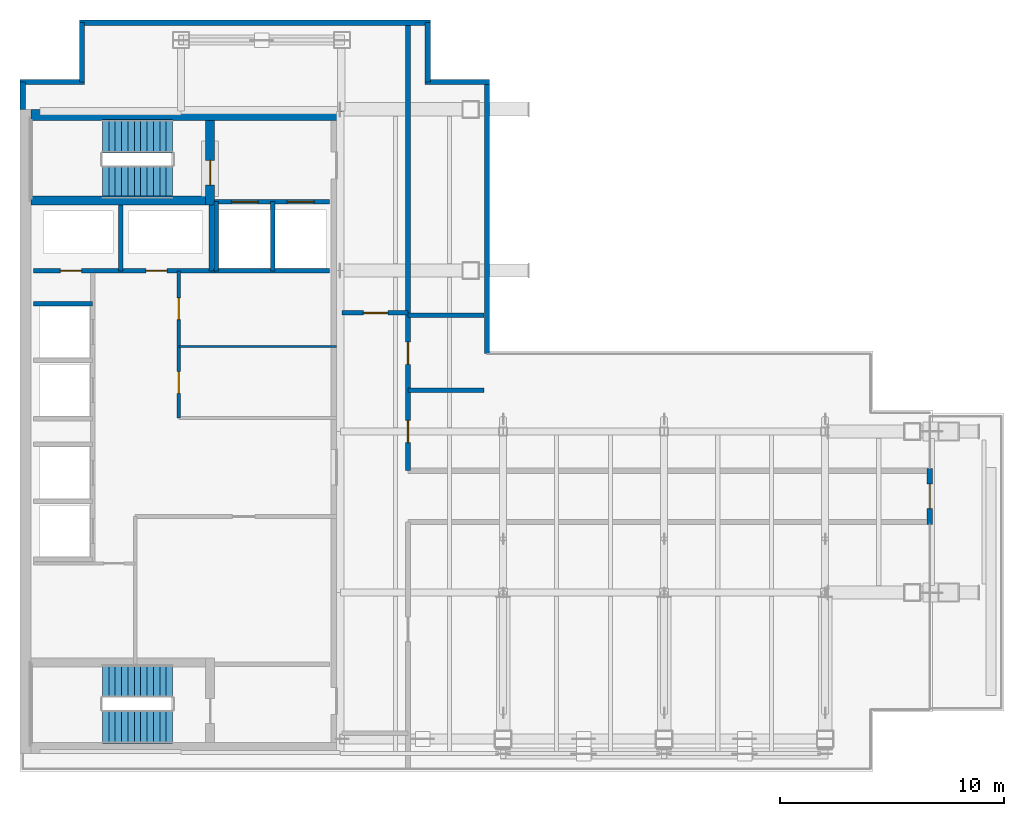
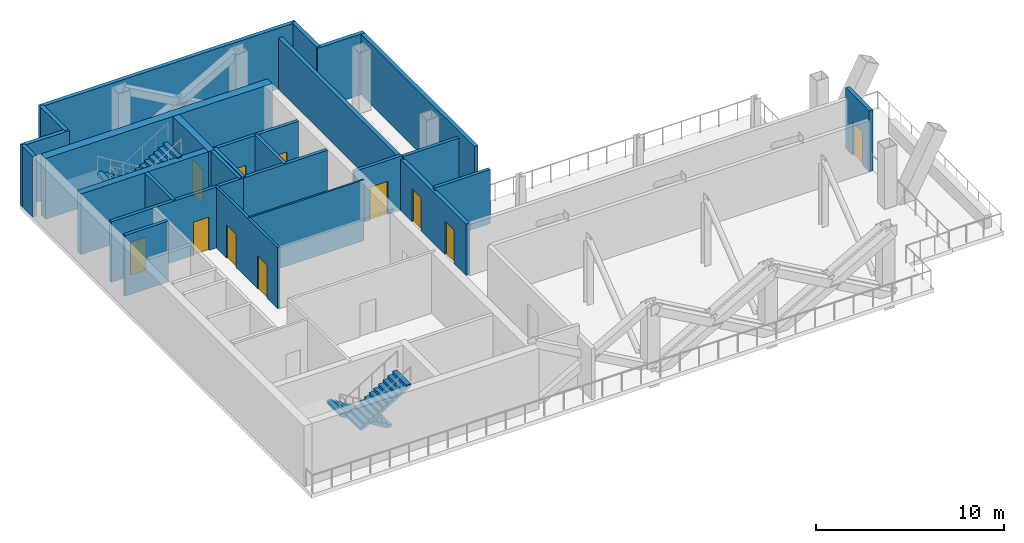
# One storey, part 4 of 6: 25 walls, 11 doors, 4 stair flights, 11 openings, 2 elements without a shape of their own.
"""IFC4 building model written with IfcOpenShell, lengths in metres."""

from ifc_helpers import new_model, si_unit, direction, frame, frame_2d, origin, place, context, subcontext, project, spatial, polyline, rectangle, outline, extrude, material, layer, layer_set, type_object, element, fill, aggregate, save


model = new_model("IFC4")

# Units and contexts
model_context = context("Model", 3, precision=1e-05, world=origin(), true_north=direction((0.0, 1.0)))
body_context = subcontext(model_context, "Body", "Model", "MODEL_VIEW")
ifc_project = project(units=[si_unit("LENGTHUNIT", "METRE"), si_unit("AREAUNIT", "SQUARE_METRE"), si_unit("VOLUMEUNIT", "CUBIC_METRE"), si_unit("PLANEANGLEUNIT", "RADIAN"), si_unit("MASSUNIT", "GRAM", prefix="KILO")], contexts=[model_context])

# Site, building, storey
site_placement = place(None, origin())
site = spatial("IfcSite", under=ifc_project, at=site_placement, CompositionType="ELEMENT")
building_placement = place(site_placement, origin())
building = spatial("IfcBuilding", under=site, at=building_placement, Name="Cobrela Telecom Tower", CompositionType="ELEMENT")
storey_placement = place(building_placement, frame((0.0, 0.0, 232.75)))
storey = spatial("IfcBuildingStorey", under=building, at=storey_placement, Name="L60", CompositionType="ELEMENT", Elevation=232.75)

# Walls
ifc_material_1 = material(Name="Concrete C40/50", Category="concrete")
ifc_layer_1 = layer(ifc_material_1, 0.5)
ifc_layer_set_1 = layer_set([ifc_layer_1], Name="Concrete C40/50")
wall_type_1 = type_object("IfcWallType", Name="WALL-CORE-C40-500", PredefinedType="SHEAR", material=ifc_layer_set_1)
wall_1_placement = place(storey_placement, frame((0.5, 35.75, 0.0), z_axis=(0.0, 0.0, 1.0), x_axis=(1.0, 0.0, 0.0)))
element("IfcWall", 1, at=wall_1_placement, inside=storey, type_object=wall_type_1, Name="L60 North Core Shear Wall", PredefinedType="SHEAR", context=body_context, shape_type="SweptSolid", body=[
    extrude(rectangle(XDim=13.89990234375, YDim=0.5, at=frame_2d((6.949951171875, 0.0))), origin(), (0.0, 0.0, 1.0), 3.93994140625),
])
ifc_layer_2 = layer(ifc_material_1, 0.239990234375)
ifc_layer_set_2 = layer_set([ifc_layer_2], Name="Concrete C40/50")
wall_type_2 = type_object("IfcWallType", Name="WALL-EXT-300", PredefinedType="STANDARD", material=ifc_layer_set_2)
wall_2_placement = place(storey_placement, frame((0.1201171875, 36.0, 0.0), z_axis=(0.0, 0.0, 1.0), x_axis=(0.0, 1.0, 0.0)))
element("IfcWall", 2, at=wall_2_placement, inside=storey, type_object=wall_type_2, Name="L60 Refuge Insulated Exterior Wall 02", PredefinedType="STANDARD", context=body_context, shape_type="SweptSolid", body=[
    extrude(rectangle(XDim=1.22998046875, YDim=0.239990234375, at=frame_2d((0.614990234375, 0.0))), origin(), (0.0, 0.0, 1.0), 3.93994140625),
])
wall_3_placement = place(storey_placement, frame((0.0, 37.22998046875, 0.0), z_axis=(0.0, 0.0, 1.0), x_axis=(1.0, 0.0, 0.0)))
element("IfcWall", 3, at=wall_3_placement, inside=storey, type_object=wall_type_2, Name="L60 Refuge Insulated Exterior Wall 03", PredefinedType="STANDARD", context=body_context, shape_type="SweptSolid", body=[
    extrude(rectangle(XDim=2.889892578125, YDim=0.239990234375, at=frame_2d((1.44482421875, 0.0))), origin(), (0.0, 0.0, 1.0), 3.93994140625),
])
wall_4_placement = place(storey_placement, frame((2.77001953125, 37.22998046875, 0.0), z_axis=(0.0, 0.0, 1.0), x_axis=(0.0, 1.0, 0.0)))
element("IfcWall", 4, at=wall_4_placement, inside=storey, type_object=wall_type_2, Name="L60 Refuge Insulated Exterior Wall 04", PredefinedType="STANDARD", context=body_context, shape_type="SweptSolid", body=[
    extrude(rectangle(XDim=2.64990234375, YDim=0.239990234375, at=frame_2d((1.324951171875, 0.0))), origin(), (0.0, 0.0, 1.0), 3.93994140625),
])
wall_5_placement = place(storey_placement, frame((2.64990234375, 39.8798828125, 0.0), z_axis=(0.0, 0.0, 1.0), x_axis=(1.0, 0.0, 0.0)))
element("IfcWall", 5, at=wall_5_placement, inside=storey, type_object=wall_type_2, Name="L60 Refuge Insulated Exterior Wall 05", PredefinedType="STANDARD", context=body_context, shape_type="SweptSolid", body=[
    extrude(rectangle(XDim=15.7001953125, YDim=0.239990234375, at=frame_2d((7.85009765625, 0.0))), origin(), (0.0, 0.0, 1.0), 3.93994140625),
])
wall_6_placement = place(storey_placement, frame((18.22998046875, 39.8798828125, 0.0), z_axis=(0.0, 0.0, 1.0), x_axis=(0.0, -1.0, 0.0)))
element("IfcWall", 6, at=wall_6_placement, inside=storey, type_object=wall_type_2, Name="L60 Refuge Insulated Exterior Wall 06", PredefinedType="STANDARD", context=body_context, shape_type="SweptSolid", body=[
    extrude(rectangle(XDim=2.64990234375, YDim=0.239990234375, at=frame_2d((1.324951171875, 0.0))), origin(), (0.0, 0.0, 1.0), 3.93994140625),
])
wall_7_placement = place(storey_placement, frame((18.110107421875, 37.22998046875, 0.0), z_axis=(0.0, 0.0, 1.0), x_axis=(1.0, 0.0, 0.0)))
element("IfcWall", 7, at=wall_7_placement, inside=storey, type_object=wall_type_2, Name="L60 Refuge Insulated Exterior Wall 07", PredefinedType="STANDARD", context=body_context, shape_type="SweptSolid", body=[
    extrude(rectangle(XDim=2.889892578125, YDim=0.239990234375, at=frame_2d((1.44482421875, 0.0))), origin(), (0.0, 0.0, 1.0), 3.93994140625),
])
wall_8_placement = place(storey_placement, frame((20.8798828125, 37.22998046875, 0.0), z_axis=(0.0, 0.0, 1.0), x_axis=(0.0, -1.0, 0.0)))
element("IfcWall", 8, at=wall_8_placement, inside=storey, type_object=wall_type_2, Name="L60 Refuge Insulated Exterior Wall 08", PredefinedType="STANDARD", context=body_context, shape_type="SweptSolid", body=[
    extrude(rectangle(XDim=12.14990234375, YDim=0.239990234375, at=frame_2d((6.074951171875, 0.0))), origin(), (0.0, 0.0, 1.0), 3.93994140625),
])

# Wall, opening, door
wall_9_placement = place(storey_placement, frame((40.679931640625, 19.949951171875, 0.0), z_axis=(0.0, 0.0, 1.0), x_axis=(0.0, -1.0, 0.0)))
wall_9 = element("IfcWall", 9, at=wall_9_placement, inside=storey, type_object=wall_type_2, Name="L60 Terrace Vestibule Exterior Wall", PredefinedType="STANDARD", context=body_context, shape_type="SweptSolid", body=[
    extrude(rectangle(XDim=2.5, YDim=0.239990234375, at=frame_2d((1.25, 0.0))), origin(), (0.0, 0.0, 1.0), 3.93994140625),
])
opening_1_placement = place(wall_9_placement, frame((0.699951171875, 0.0, 0.0)))
opening_1 = element("IfcOpeningElement", 10, at=opening_1_placement, cuts=wall_9, Name="Opening ED-3", PredefinedType="OPENING", context=body_context, shape_type="SweptSolid", body=[
    extrude(rectangle(XDim=1.10009765625, YDim=2.14990234375, at=frame_2d((0.550048828125, 1.074951171875))), frame((0.0, 0.1318359375, 0.0), z_axis=(0.0, -1.0, 0.0), x_axis=(1.0, 0.0, 0.0)), (0.0, 0.0, 1.0), 0.263916015625),
])
ifc_material_2 = material(Name="Anodized Bronze Aluminium 6063-T6", Category="aluminium")
door_type_1 = type_object("IfcDoorType", Name="DOOR-EXT-1100", OperationType="SINGLE_SWING_LEFT", PredefinedType="DOOR", material=ifc_material_2)
door_1_placement = place(opening_1_placement, origin())
door_1 = element("IfcDoor", 11, at=door_1_placement, inside=storey, type_object=door_type_1, Name="L60 Refuge Corridor to Upper Andean Viewing Terrace Door", OperationType="SINGLE_SWING_LEFT", OverallHeight=2.14990234375, OverallWidth=1.10009765625, PredefinedType="DOOR", context=body_context, shape_type="SweptSolid", body=[
    extrude(rectangle(XDim=1.10009765625, YDim=2.14990234375, at=frame_2d((0.550048828125, 1.074951171875))), frame((0.0, 0.02490234375, 0.0), z_axis=(0.0, -1.0, 0.0), x_axis=(1.0, 0.0, 0.0)), (0.0, 0.0, 1.0), 0.050048828125),
])
fill(opening_1, door_1)

# Wall, openings, doors
wall_10_placement = place(storey_placement, frame((17.35009765625, 19.85009765625, 0.0), z_axis=(0.0, 0.0, 1.0), x_axis=(0.0, 1.0, 0.0)))
wall_10 = element("IfcWall", 12, at=wall_10_placement, inside=storey, type_object=wall_type_2, Name="L60 Shaft Enclosure W-TB-EN", PredefinedType="STANDARD", context=body_context, shape_type="SweptSolid", body=[
    extrude(rectangle(XDim=19.89990234375, YDim=0.239990234375, at=frame_2d((9.949951171875, 0.0))), origin(), (0.0, 0.0, 1.0), 3.31298828125),
])
opening_2_placement = place(wall_10_placement, frame((1.25, 0.0, 0.0)))
opening_2 = element("IfcOpeningElement", 13, at=opening_2_placement, cuts=wall_10, Name="Opening DR-15", PredefinedType="OPENING", context=body_context, shape_type="SweptSolid", body=[
    extrude(rectangle(XDim=1.0, YDim=2.14990234375, at=frame_2d((0.5, 1.074951171875))), frame((0.0, 0.1318359375, 0.0), z_axis=(0.0, -1.0, 0.0), x_axis=(1.0, 0.0, 0.0)), (0.0, 0.0, 1.0), 0.263916015625),
])
opening_3_placement = place(wall_10_placement, frame((4.75, 0.0, 0.0)))
opening_3 = element("IfcOpeningElement", 14, at=opening_3_placement, cuts=wall_10, Name="Opening DR-15", PredefinedType="OPENING", context=body_context, shape_type="SweptSolid", body=[
    extrude(rectangle(XDim=1.0, YDim=2.14990234375, at=frame_2d((0.5, 1.074951171875))), frame((0.0, 0.1318359375, 0.0), z_axis=(0.0, -1.0, 0.0), x_axis=(1.0, 0.0, 0.0)), (0.0, 0.0, 1.0), 0.263916015625),
])
ifc_material_3 = material(Name="Steel ASTM A36", Category="steel")
door_type_2 = type_object("IfcDoorType", Name="DOOR-FD60-1000", OperationType="SINGLE_SWING_LEFT", PredefinedType="DOOR", material=ifc_material_3)
door_2_placement = place(opening_2_placement, origin())
door_2 = element("IfcDoor", 15, at=door_2_placement, inside=storey, type_object=door_type_2, Name="L60 Door DR-15", OperationType="SINGLE_SWING_RIGHT", OverallHeight=2.14990234375, OverallWidth=1.0, PredefinedType="DOOR", context=body_context, shape_type="SweptSolid", body=[
    extrude(rectangle(XDim=1.0, YDim=2.14990234375, at=frame_2d((0.5, 1.074951171875))), frame((0.0, 0.02490234375, 0.0), z_axis=(0.0, -1.0, 0.0), x_axis=(1.0, 0.0, 0.0)), (0.0, 0.0, 1.0), 0.050048828125),
])
fill(opening_2, door_2)
door_3_placement = place(opening_3_placement, origin())
door_3 = element("IfcDoor", 16, at=door_3_placement, inside=storey, type_object=door_type_2, Name="L60 Door DR-15", OperationType="SINGLE_SWING_LEFT", OverallHeight=2.14990234375, OverallWidth=1.0, PredefinedType="DOOR", context=body_context, shape_type="SweptSolid", body=[
    extrude(rectangle(XDim=1.0, YDim=2.14990234375, at=frame_2d((0.5, 1.074951171875))), frame((0.0, 0.02490234375, 0.0), z_axis=(0.0, -1.0, 0.0), x_axis=(1.0, 0.0, 0.0)), (0.0, 0.0, 1.0), 0.050048828125),
])
fill(opening_3, door_3)

# Wall
ifc_material_4 = material(Name="Fire-Rated Gypsum Plasterboard")
ifc_layer_3 = layer(ifc_material_4, 0.110107421875)
ifc_layer_set_3 = layer_set([ifc_layer_3], Name="Fire-Rated Gypsum Plasterboard")
wall_type_3 = type_object("IfcWallType", Name="WALL-PART-110", PredefinedType="PARTITIONING", material=ifc_layer_set_3)
wall_11_placement = place(storey_placement, frame((7.10009765625, 25.39990234375, 0.0), z_axis=(0.0, 0.0, 1.0), x_axis=(1.0, 0.0, 0.0)))
element("IfcWall", 17, at=wall_11_placement, inside=storey, type_object=wall_type_3, Name="L60 Interior Partition CW-RECL-H", PredefinedType="PARTITIONING", context=body_context, shape_type="SweptSolid", body=[
    extrude(rectangle(XDim=7.0498046875, YDim=0.110107421875, at=frame_2d((3.52490234375, 0.0))), origin(), (0.0, 0.0, 1.0), 3.93994140625),
])

# Wall, openings, doors
ifc_layer_4 = layer(ifc_material_4, 0.14990234375)
ifc_layer_set_4 = layer_set([ifc_layer_4], Name="Fire-Rated Gypsum Plasterboard")
wall_type_4 = type_object("IfcWallType", Name="WALL-PART-150", PredefinedType="PARTITIONING", material=ifc_layer_set_4)
wall_12_placement = place(storey_placement, frame((7.10009765625, 22.199951171875, 0.0), z_axis=(0.0, 0.0, 1.0), x_axis=(0.0, 1.0, 0.0)))
wall_12 = element("IfcWall", 18, at=wall_12_placement, inside=storey, type_object=wall_type_4, Name="L60 Interior Partition CW-RECL-W", PredefinedType="PARTITIONING", context=body_context, shape_type="SweptSolid", body=[
    extrude(rectangle(XDim=6.580078125, YDim=0.14990234375, at=frame_2d((3.2900390625, 0.0))), origin(), (0.0, 0.0, 1.0), 3.93994140625),
])
opening_4_placement = place(wall_12_placement, frame((1.10009765625, 0.0, 0.0)))
opening_4 = element("IfcOpeningElement", 19, at=opening_4_placement, cuts=wall_12, Name="Opening DR-17", PredefinedType="OPENING", context=body_context, shape_type="SweptSolid", body=[
    extrude(rectangle(XDim=0.97998046875, YDim=2.14990234375, at=frame_2d((0.489990234375, 1.074951171875))), frame((0.0, 0.0869140625, 0.0), z_axis=(0.0, -1.0, 0.0), x_axis=(1.0, 0.0, 0.0)), (0.0, 0.0, 1.0), 0.173828125),
])
opening_5_placement = place(wall_12_placement, frame((4.39990234375, 0.0, 0.0)))
opening_5 = element("IfcOpeningElement", 20, at=opening_5_placement, cuts=wall_12, Name="Opening DR-17", PredefinedType="OPENING", context=body_context, shape_type="SweptSolid", body=[
    extrude(rectangle(XDim=0.97998046875, YDim=2.14990234375, at=frame_2d((0.489990234375, 1.074951171875))), frame((0.0, 0.0869140625, 0.0), z_axis=(0.0, -1.0, 0.0), x_axis=(1.0, 0.0, 0.0)), (0.0, 0.0, 1.0), 0.173828125),
])
ifc_material_5 = material(Name="Solid Engineered Oak Timber", Category="wood")
door_type_3 = type_object("IfcDoorType", Name="DOOR-INT-980", OperationType="SINGLE_SWING_LEFT", PredefinedType="DOOR", material=ifc_material_5)
door_4_placement = place(opening_4_placement, origin())
door_4 = element("IfcDoor", 21, at=door_4_placement, inside=storey, type_object=door_type_3, Name="L60 Door DR-17", OperationType="SINGLE_SWING_RIGHT", OverallHeight=2.14990234375, OverallWidth=0.97998046875, PredefinedType="DOOR", context=body_context, shape_type="SweptSolid", body=[
    extrude(rectangle(XDim=0.97998046875, YDim=2.14990234375, at=frame_2d((0.489990234375, 1.074951171875))), frame((0.0, 0.02490234375, 0.0), z_axis=(0.0, -1.0, 0.0), x_axis=(1.0, 0.0, 0.0)), (0.0, 0.0, 1.0), 0.050048828125),
])
fill(opening_4, door_4)
door_5_placement = place(opening_5_placement, origin())
door_5 = element("IfcDoor", 22, at=door_5_placement, inside=storey, type_object=door_type_3, Name="L60 Door DR-17", OperationType="SINGLE_SWING_LEFT", OverallHeight=2.14990234375, OverallWidth=0.97998046875, PredefinedType="DOOR", context=body_context, shape_type="SweptSolid", body=[
    extrude(rectangle(XDim=0.97998046875, YDim=2.14990234375, at=frame_2d((0.489990234375, 1.074951171875))), frame((0.0, 0.02490234375, 0.0), z_axis=(0.0, -1.0, 0.0), x_axis=(1.0, 0.0, 0.0)), (0.0, 0.0, 1.0), 0.050048828125),
])
fill(opening_5, door_5)

ifc_layer_5 = layer(ifc_material_4, 0.199951171875)
ifc_layer_set_5 = layer_set([ifc_layer_5], Name="Fire-Rated Gypsum Plasterboard")
wall_type_5 = type_object("IfcWallType", Name="WALL-SHAFT-200", PredefinedType="PARTITIONING", material=ifc_layer_set_5)
wall_13_placement = place(storey_placement, frame((8.699951171875, 31.8798828125, 0.0), z_axis=(0.0, 0.0, 1.0), x_axis=(1.0, 0.0, 0.0)))
wall_13 = element("IfcWall", 23, at=wall_13_placement, inside=storey, type_object=wall_type_5, Name="L60 Shaft Enclosure CW-FFL-S", PredefinedType="PARTITIONING", context=body_context, shape_type="SweptSolid", body=[
    extrude(rectangle(XDim=5.150146484375, YDim=0.199951171875, at=frame_2d((2.5751953125, 0.0))), origin(), (0.0, 0.0, 1.0), 3.93994140625),
])
opening_6_placement = place(wall_13_placement, frame((0.75, 0.0, 0.0)))
opening_6 = element("IfcOpeningElement", 24, at=opening_6_placement, cuts=wall_13, Name="Opening LD-2", PredefinedType="OPENING", context=body_context, shape_type="SweptSolid", body=[
    extrude(rectangle(XDim=1.199951171875, YDim=2.199951171875, at=frame_2d((0.60009765625, 1.10009765625))), frame((0.0, 0.11181640625, 0.0), z_axis=(0.0, -1.0, 0.0), x_axis=(1.0, 0.0, 0.0)), (0.0, 0.0, 1.0), 0.223876953125),
])
opening_7_placement = place(wall_13_placement, frame((3.25, 0.0, 0.0)))
opening_7 = element("IfcOpeningElement", 25, at=opening_7_placement, cuts=wall_13, Name="Opening LD-2", PredefinedType="OPENING", context=body_context, shape_type="SweptSolid", body=[
    extrude(rectangle(XDim=1.199951171875, YDim=2.199951171875, at=frame_2d((0.60009765625, 1.10009765625))), frame((0.0, 0.11181640625, 0.0), z_axis=(0.0, -1.0, 0.0), x_axis=(1.0, 0.0, 0.0)), (0.0, 0.0, 1.0), 0.223876953125),
])
door_type_4 = type_object("IfcDoorType", Name="DOOR-LD-FFL", OperationType="SINGLE_SWING_LEFT", PredefinedType="DOOR", material=ifc_material_3)
door_6_placement = place(opening_6_placement, origin())
door_6 = element("IfcDoor", 26, at=door_6_placement, inside=storey, type_object=door_type_4, Name="L60 Lift Landing Door LD-2", OperationType="DOUBLE_DOOR_SLIDING", OverallHeight=2.199951171875, OverallWidth=1.199951171875, PredefinedType="DOOR", context=body_context, shape_type="SweptSolid", body=[
    extrude(rectangle(XDim=1.199951171875, YDim=2.199951171875, at=frame_2d((0.60009765625, 1.10009765625))), frame((0.0, 0.02490234375, 0.0), z_axis=(0.0, -1.0, 0.0), x_axis=(1.0, 0.0, 0.0)), (0.0, 0.0, 1.0), 0.050048828125),
])
fill(opening_6, door_6)
door_7_placement = place(opening_7_placement, origin())
door_7 = element("IfcDoor", 27, at=door_7_placement, inside=storey, type_object=door_type_4, Name="L60 Lift Landing Door LD-2", OperationType="DOUBLE_DOOR_SLIDING", OverallHeight=2.199951171875, OverallWidth=1.199951171875, PredefinedType="DOOR", context=body_context, shape_type="SweptSolid", body=[
    extrude(rectangle(XDim=1.199951171875, YDim=2.199951171875, at=frame_2d((0.60009765625, 1.10009765625))), frame((0.0, 0.02490234375, 0.0), z_axis=(0.0, -1.0, 0.0), x_axis=(1.0, 0.0, 0.0)), (0.0, 0.0, 1.0), 0.050048828125),
])
fill(opening_7, door_7)

# Walls
wall_14_placement = place(storey_placement, frame((8.699951171875, 28.780029296875, 0.0), z_axis=(0.0, 0.0, 1.0), x_axis=(1.0, 0.0, 0.0)))
element("IfcWall", 28, at=wall_14_placement, inside=storey, type_object=wall_type_5, Name="L60 Shaft Enclosure CW-FFL-S2", PredefinedType="PARTITIONING", context=body_context, shape_type="SweptSolid", body=[
    extrude(rectangle(XDim=5.150146484375, YDim=0.199951171875, at=frame_2d((2.5751953125, 0.0))), origin(), (0.0, 0.0, 1.0), 3.93994140625),
])
for number, where, z_axis, x_axis, name in (
    (29, (8.780029296875, 28.780029296875, 0.0), (0.0, 0.0, 1.0), (0.0, 1.0, 0.0), "L60 Shaft Enclosure CW-FFL-W"),
    (30, (11.300048828125, 28.780029296875, 0.0), (0.0, 0.0, 1.0), (0.0, 1.0, 0.0), "L60 Shaft Enclosure CW-FFL-M"),
):
    element("IfcWall", number, at=place(storey_placement, frame(where, z_axis=z_axis, x_axis=x_axis)), inside=storey, type_object=wall_type_5, Name=name, PredefinedType="PARTITIONING", context=body_context, shape_type="SweptSolid", body=[
        extrude(rectangle(XDim=3.099853515625, YDim=0.199951171875, at=frame_2d((1.5498046875, 0.0))), origin(), (0.0, 0.0, 1.0), 3.93994140625),
    ])

# Wall, openings, doors
wall_15_placement = place(storey_placement, frame((0.60009765625, 28.780029296875, 0.0), z_axis=(0.0, 0.0, 1.0), x_axis=(1.0, 0.0, 0.0)))
wall_15 = element("IfcWall", 31, at=wall_15_placement, inside=storey, type_object=wall_type_5, Name="L60 Shaft Enclosure CW-RIS-S", PredefinedType="PARTITIONING", context=body_context, shape_type="SweptSolid", body=[
    extrude(rectangle(XDim=8.179931640625, YDim=0.199951171875, at=frame_2d((4.08984375, 0.0))), origin(), (0.0, 0.0, 1.0), 3.93994140625),
])
opening_8_placement = place(wall_15_placement, frame((1.2099609375, 0.0, 0.0)))
opening_8 = element("IfcOpeningElement", 32, at=opening_8_placement, cuts=wall_15, Name="Opening DR-65", PredefinedType="OPENING", context=body_context, shape_type="SweptSolid", body=[
    extrude(rectangle(XDim=0.949951171875, YDim=2.14990234375, at=frame_2d((0.47509765625, 1.074951171875))), frame((0.0, 0.11181640625, 0.0), z_axis=(0.0, -1.0, 0.0), x_axis=(1.0, 0.0, 0.0)), (0.0, 0.0, 1.0), 0.223876953125),
])
opening_9_placement = place(wall_15_placement, frame((5.030029296875, 0.0, 0.0)))
opening_9 = element("IfcOpeningElement", 33, at=opening_9_placement, cuts=wall_15, Name="Opening DR-65", PredefinedType="OPENING", context=body_context, shape_type="SweptSolid", body=[
    extrude(rectangle(XDim=0.949951171875, YDim=2.14990234375, at=frame_2d((0.47509765625, 1.074951171875))), frame((0.0, 0.11181640625, 0.0), z_axis=(0.0, -1.0, 0.0), x_axis=(1.0, 0.0, 0.0)), (0.0, 0.0, 1.0), 0.223876953125),
])
door_type_5 = type_object("IfcDoorType", Name="DOOR-FD60-950", OperationType="SINGLE_SWING_LEFT", PredefinedType="DOOR", material=ifc_material_3)
door_8_placement = place(opening_8_placement, origin())
door_8 = element("IfcDoor", 34, at=door_8_placement, inside=storey, type_object=door_type_5, Name="L60 Door DR-65", OperationType="SINGLE_SWING_LEFT", OverallHeight=2.14990234375, OverallWidth=0.949951171875, PredefinedType="DOOR", context=body_context, shape_type="SweptSolid", body=[
    extrude(rectangle(XDim=0.949951171875, YDim=2.14990234375, at=frame_2d((0.47509765625, 1.074951171875))), frame((0.0, 0.02490234375, 0.0), z_axis=(0.0, -1.0, 0.0), x_axis=(1.0, 0.0, 0.0)), (0.0, 0.0, 1.0), 0.050048828125),
])
fill(opening_8, door_8)
door_9_placement = place(opening_9_placement, origin())
door_9 = element("IfcDoor", 35, at=door_9_placement, inside=storey, type_object=door_type_5, Name="L60 Door DR-65", OperationType="SINGLE_SWING_RIGHT", OverallHeight=2.14990234375, OverallWidth=0.949951171875, PredefinedType="DOOR", context=body_context, shape_type="SweptSolid", body=[
    extrude(rectangle(XDim=0.949951171875, YDim=2.14990234375, at=frame_2d((0.47509765625, 1.074951171875))), frame((0.0, 0.02490234375, 0.0), z_axis=(0.0, -1.0, 0.0), x_axis=(1.0, 0.0, 0.0)), (0.0, 0.0, 1.0), 0.050048828125),
])
fill(opening_9, door_9)

# Walls
for number, where, z_axis, x_axis, name in (
    (36, (4.5, 28.780029296875, 0.0), (0.0, 0.0, 1.0), (0.0, 1.0, 0.0), "L60 Shaft Enclosure CW-RIS-M"),
    (37, (8.550048828125, 28.780029296875, 0.0), (0.0, 0.0, 1.0), (0.0, 1.0, 0.0), "L60 Shaft Enclosure CW-RIS-E"),
):
    element("IfcWall", number, at=place(storey_placement, frame(where, z_axis=z_axis, x_axis=x_axis)), inside=storey, type_object=wall_type_5, Name=name, PredefinedType="PARTITIONING", context=body_context, shape_type="SweptSolid", body=[
        extrude(rectangle(XDim=2.93994140625, YDim=0.199951171875, at=frame_2d((1.469970703125, 0.0))), origin(), (0.0, 0.0, 1.0), 3.93994140625),
    ])
wall_16_placement = place(storey_placement, frame((0.60009765625, 27.320068359375, 0.0), z_axis=(0.0, 0.0, 1.0), x_axis=(1.0, 0.0, 0.0)))
element("IfcWall", 38, at=wall_16_placement, inside=storey, type_object=wall_type_5, Name="L60 Shaft Enclosure CW-PLH-TOP", PredefinedType="PARTITIONING", context=body_context, shape_type="SweptSolid", body=[
    extrude(rectangle(XDim=2.64990234375, YDim=0.199951171875, at=frame_2d((1.324951171875, 0.0))), origin(), (0.0, 0.0, 1.0), 3.93994140625),
])

# Wall, opening, door
wall_17_placement = place(storey_placement, frame((14.39990234375, 26.89990234375, 0.0), z_axis=(0.0, 0.0, 1.0), x_axis=(1.0, 0.0, 0.0)))
wall_17 = element("IfcWall", 39, at=wall_17_placement, inside=storey, type_object=wall_type_5, Name="L60 Shaft Enclosure W-TB-N", PredefinedType="PARTITIONING", context=body_context, shape_type="SweptSolid", body=[
    extrude(rectangle(XDim=2.9501953125, YDim=0.199951171875, at=frame_2d((1.47509765625, 0.0))), origin(), (0.0, 0.0, 1.0), 3.508056640625),
])
opening_10_placement = place(wall_17_placement, frame((0.949951171875, 0.0, 0.0)))
opening_10 = element("IfcOpeningElement", 40, at=opening_10_placement, cuts=wall_17, Name="Opening DR-59", PredefinedType="OPENING", context=body_context, shape_type="SweptSolid", body=[
    extrude(rectangle(XDim=1.10009765625, YDim=2.14990234375, at=frame_2d((0.550048828125, 1.074951171875))), frame((0.0, 0.11181640625, 0.0), z_axis=(0.0, -1.0, 0.0), x_axis=(1.0, 0.0, 0.0)), (0.0, 0.0, 1.0), 0.223876953125),
])
door_type_6 = type_object("IfcDoorType", Name="DOOR-FD60-1100", OperationType="SINGLE_SWING_LEFT", PredefinedType="DOOR", material=ifc_material_3)
door_10_placement = place(opening_10_placement, origin())
door_10 = element("IfcDoor", 41, at=door_10_placement, inside=storey, type_object=door_type_6, Name="L60 Door DR-59", OperationType="SINGLE_SWING_LEFT", OverallHeight=2.14990234375, OverallWidth=1.10009765625, PredefinedType="DOOR", context=body_context, shape_type="SweptSolid", body=[
    extrude(rectangle(XDim=1.10009765625, YDim=2.14990234375, at=frame_2d((0.550048828125, 1.074951171875))), frame((0.0, 0.02490234375, 0.0), z_axis=(0.0, -1.0, 0.0), x_axis=(1.0, 0.0, 0.0)), (0.0, 0.0, 1.0), 0.050048828125),
])
fill(opening_10, door_10)

# Walls
for number, where, z_axis, x_axis, name in (
    (42, (17.35009765625, 23.449951171875, 0.0), (0.0, 0.0, 1.0), (1.0, 0.0, 0.0), "L60 Shaft Enclosure W-TB-P1S"),
    (43, (17.35009765625, 26.800048828125, 0.0), (0.0, 0.0, 1.0), (1.0, 0.0, 0.0), "L60 Shaft Enclosure W-TB-NH"),
):
    element("IfcWall", number, at=place(storey_placement, frame(where, z_axis=z_axis, x_axis=x_axis)), inside=storey, type_object=wall_type_5, Name=name, PredefinedType="PARTITIONING", context=body_context, shape_type="SweptSolid", body=[
        extrude(rectangle(XDim=3.39990234375, YDim=0.199951171875, at=frame_2d((1.699951171875, 0.0))), origin(), (0.0, 0.0, 1.0), 3.508056640625),
    ])
ifc_layer_6 = layer(ifc_material_1, 0.39990234375)
ifc_layer_set_6 = layer_set([ifc_layer_6], Name="Concrete C40/50")
wall_type_6 = type_object("IfcWallType", Name="WALL-SHAFT-C40-400", PredefinedType="SHEAR", material=ifc_layer_set_6)
wall_18_placement = place(storey_placement, frame((0.5, 31.919921875, 0.0), z_axis=(0.0, 0.0, 1.0), x_axis=(1.0, 0.0, 0.0)))
element("IfcWall", 44, at=wall_18_placement, inside=storey, type_object=wall_type_6, Name="L60 North Stair Shear Wall", PredefinedType="SHEAR", context=body_context, shape_type="SweptSolid", body=[
    extrude(rectangle(XDim=7.800048828125, YDim=0.39990234375, at=frame_2d((3.89990234375, 0.0))), origin(), (0.0, 0.0, 1.0), 3.93994140625),
])

# Wall, opening, door
wall_19_placement = place(storey_placement, frame((8.5, 31.719970703125, 0.0), z_axis=(0.0, 0.0, 1.0), x_axis=(0.0, 1.0, 0.0)))
wall_19 = element("IfcWall", 45, at=wall_19_placement, inside=storey, type_object=wall_type_6, Name="L60 North Stair Lobby Shear Wall", PredefinedType="SHEAR", context=body_context, shape_type="SweptSolid", body=[
    extrude(rectangle(XDim=3.780029296875, YDim=0.39990234375, at=frame_2d((1.89013671875, 0.0))), origin(), (0.0, 0.0, 1.0), 3.93994140625),
])
opening_11_placement = place(wall_19_placement, frame((0.89990234375, 0.0, 0.0)))
opening_11 = element("IfcOpeningElement", 46, at=opening_11_placement, cuts=wall_19, Name="Opening DR-59", PredefinedType="OPENING", context=body_context, shape_type="SweptSolid", body=[
    extrude(rectangle(XDim=1.10009765625, YDim=2.14990234375, at=frame_2d((0.550048828125, 1.074951171875))), frame((0.0, 0.2119140625, 0.0), z_axis=(0.0, -1.0, 0.0), x_axis=(1.0, 0.0, 0.0)), (0.0, 0.0, 1.0), 0.423828125),
])
door_11_placement = place(opening_11_placement, origin())
door_11 = element("IfcDoor", 47, at=door_11_placement, inside=storey, type_object=door_type_6, Name="L60 Door DR-59", OperationType="SINGLE_SWING_RIGHT", OverallHeight=2.14990234375, OverallWidth=1.10009765625, PredefinedType="DOOR", context=body_context, shape_type="SweptSolid", body=[
    extrude(rectangle(XDim=1.10009765625, YDim=2.14990234375, at=frame_2d((0.550048828125, 1.074951171875))), frame((0.0, 0.02490234375, 0.0), z_axis=(0.0, -1.0, 0.0), x_axis=(1.0, 0.0, 0.0)), (0.0, 0.0, 1.0), 0.050048828125),
])
fill(opening_11, door_11)

# Stair, stair flights
stair_type = type_object("IfcStairType", Name="STAIR-CORE", PredefinedType="HALF_TURN_STAIR", material=ifc_material_1)
stair_1_placement = place(storey_placement, origin())
stair_1 = element("IfcStair", 48, at=stair_1_placement, inside=storey, type_object=stair_type, Name="L60 Smokeproof Exit Stair ST1", PredefinedType="HALF_TURN_STAIR")
stair_flight_type = type_object("IfcStairFlightType", Name="FLIGHT-CORE", PredefinedType="STRAIGHT", material=ifc_material_1)
stair_flight_1_placement = place(storey_placement, frame((6.820068359375, 34.800048828125, 0.0), z_axis=(0.0, 0.0, 1.0), x_axis=(-1.0, 0.0, 0.0)))
stair_flight_1 = element("IfcStairFlight", 49, at=stair_flight_1_placement, type_object=stair_flight_type, Name="ST1 flight 1", NumberOfRisers=12, NumberOfTreads=11, PredefinedType="STRAIGHT", RiserHeight=0.175, TreadLength=0.285, context=body_context, shape_type="SweptSolid", body=[
    extrude(outline(polyline([(0.0, 0.0), (0.0, 0.175048828125), (0.284912109375, 0.175048828125), (0.284912109375, 0.35009765625), (0.570068359375, 0.35009765625), (0.570068359375, 0.52490234375), (0.85498046875, 0.52490234375), (0.85498046875, 0.699951171875), (1.139892578125, 0.699951171875), (1.139892578125, 0.875), (1.425048828125, 0.875), (1.425048828125, 1.050048828125), (1.7099609375, 1.050048828125), (1.7099609375, 1.22509765625), (1.9951171875, 1.22509765625), (1.9951171875, 1.39990234375), (2.280029296875, 1.39990234375), (2.280029296875, 1.574951171875), (2.56494140625, 1.574951171875), (2.56494140625, 1.75), (2.85009765625, 1.75), (2.85009765625, 1.925048828125), (3.135009765625, 1.925048828125), (3.135009765625, 2.10009765625), (3.135009765625, 1.7490234375), (0.286376953125, 0.0), (0.0, 0.0)])), frame((0.0, 0.75, 0.0), z_axis=(0.0, -1.0, 0.0), x_axis=(1.0, 0.0, 0.0)), (0.0, 0.0, 1.0), 1.5),
])
stair_flight_2_placement = place(storey_placement, frame((3.68505859375, 32.75, 2.10009765625), z_axis=(0.0, 0.0, 1.0), x_axis=(1.0, 0.0, 0.0)))
stair_flight_2 = element("IfcStairFlight", 50, at=stair_flight_2_placement, type_object=stair_flight_type, Name="ST1 flight 2", NumberOfRisers=12, NumberOfTreads=11, PredefinedType="STRAIGHT", RiserHeight=0.175, TreadLength=0.285, context=body_context, shape_type="SweptSolid", body=[
    extrude(outline(polyline([(0.0, 0.0), (0.0, 0.175048828125), (0.284912109375, 0.175048828125), (0.284912109375, 0.35009765625), (0.570068359375, 0.35009765625), (0.570068359375, 0.52490234375), (0.85498046875, 0.52490234375), (0.85498046875, 0.699951171875), (1.139892578125, 0.699951171875), (1.139892578125, 0.875), (1.425048828125, 0.875), (1.425048828125, 1.050048828125), (1.7099609375, 1.050048828125), (1.7099609375, 1.22509765625), (1.9951171875, 1.22509765625), (1.9951171875, 1.39990234375), (2.280029296875, 1.39990234375), (2.280029296875, 1.574951171875), (2.56494140625, 1.574951171875), (2.56494140625, 1.75), (2.85009765625, 1.75), (2.85009765625, 1.925048828125), (3.135009765625, 1.925048828125), (3.135009765625, 2.10009765625), (3.135009765625, 1.7490234375), (0.286376953125, 0.0), (0.0, 0.0)])), frame((0.0, 0.75, 0.0), z_axis=(0.0, -1.0, 0.0), x_axis=(1.0, 0.0, 0.0)), (0.0, 0.0, 1.0), 1.5),
])
aggregate(stair_1, [stair_flight_1, stair_flight_2])

stair_2_placement = place(storey_placement, origin())
stair_2 = element("IfcStair", 51, at=stair_2_placement, inside=storey, type_object=stair_type, Name="L60 Smokeproof Exit Stair ST2", PredefinedType="HALF_TURN_STAIR")
stair_flight_3_placement = place(storey_placement, frame((6.820068359375, 10.449951171875, 0.0), z_axis=(0.0, 0.0, 1.0), x_axis=(-1.0, 0.0, 0.0)))
stair_flight_3 = element("IfcStairFlight", 52, at=stair_flight_3_placement, type_object=stair_flight_type, Name="ST2 flight 1", NumberOfRisers=12, NumberOfTreads=11, PredefinedType="STRAIGHT", RiserHeight=0.175, TreadLength=0.285, context=body_context, shape_type="SweptSolid", body=[
    extrude(outline(polyline([(0.0, 0.0), (0.0, 0.175048828125), (0.284912109375, 0.175048828125), (0.284912109375, 0.35009765625), (0.570068359375, 0.35009765625), (0.570068359375, 0.52490234375), (0.85498046875, 0.52490234375), (0.85498046875, 0.699951171875), (1.139892578125, 0.699951171875), (1.139892578125, 0.875), (1.425048828125, 0.875), (1.425048828125, 1.050048828125), (1.7099609375, 1.050048828125), (1.7099609375, 1.22509765625), (1.9951171875, 1.22509765625), (1.9951171875, 1.39990234375), (2.280029296875, 1.39990234375), (2.280029296875, 1.574951171875), (2.56494140625, 1.574951171875), (2.56494140625, 1.75), (2.85009765625, 1.75), (2.85009765625, 1.925048828125), (3.135009765625, 1.925048828125), (3.135009765625, 2.10009765625), (3.135009765625, 1.7490234375), (0.286376953125, 0.0), (0.0, 0.0)])), frame((0.0, 0.75, 0.0), z_axis=(0.0, -1.0, 0.0), x_axis=(1.0, 0.0, 0.0)), (0.0, 0.0, 1.0), 1.5),
])
stair_flight_4_placement = place(storey_placement, frame((3.68505859375, 8.39990234375, 2.10009765625), z_axis=(0.0, 0.0, 1.0), x_axis=(1.0, 0.0, 0.0)))
stair_flight_4 = element("IfcStairFlight", 53, at=stair_flight_4_placement, type_object=stair_flight_type, Name="ST2 flight 2", NumberOfRisers=12, NumberOfTreads=11, PredefinedType="STRAIGHT", RiserHeight=0.175, TreadLength=0.285, context=body_context, shape_type="SweptSolid", body=[
    extrude(outline(polyline([(0.0, 0.0), (0.0, 0.175048828125), (0.284912109375, 0.175048828125), (0.284912109375, 0.35009765625), (0.570068359375, 0.35009765625), (0.570068359375, 0.52490234375), (0.85498046875, 0.52490234375), (0.85498046875, 0.699951171875), (1.139892578125, 0.699951171875), (1.139892578125, 0.875), (1.425048828125, 0.875), (1.425048828125, 1.050048828125), (1.7099609375, 1.050048828125), (1.7099609375, 1.22509765625), (1.9951171875, 1.22509765625), (1.9951171875, 1.39990234375), (2.280029296875, 1.39990234375), (2.280029296875, 1.574951171875), (2.56494140625, 1.574951171875), (2.56494140625, 1.75), (2.85009765625, 1.75), (2.85009765625, 1.925048828125), (3.135009765625, 1.925048828125), (3.135009765625, 2.10009765625), (3.135009765625, 1.7490234375), (0.286376953125, 0.0), (0.0, 0.0)])), frame((0.0, 0.75, 0.0), z_axis=(0.0, -1.0, 0.0), x_axis=(1.0, 0.0, 0.0)), (0.0, 0.0, 1.0), 1.5),
])
aggregate(stair_2, [stair_flight_3, stair_flight_4])

save(model, "model.ifc")
